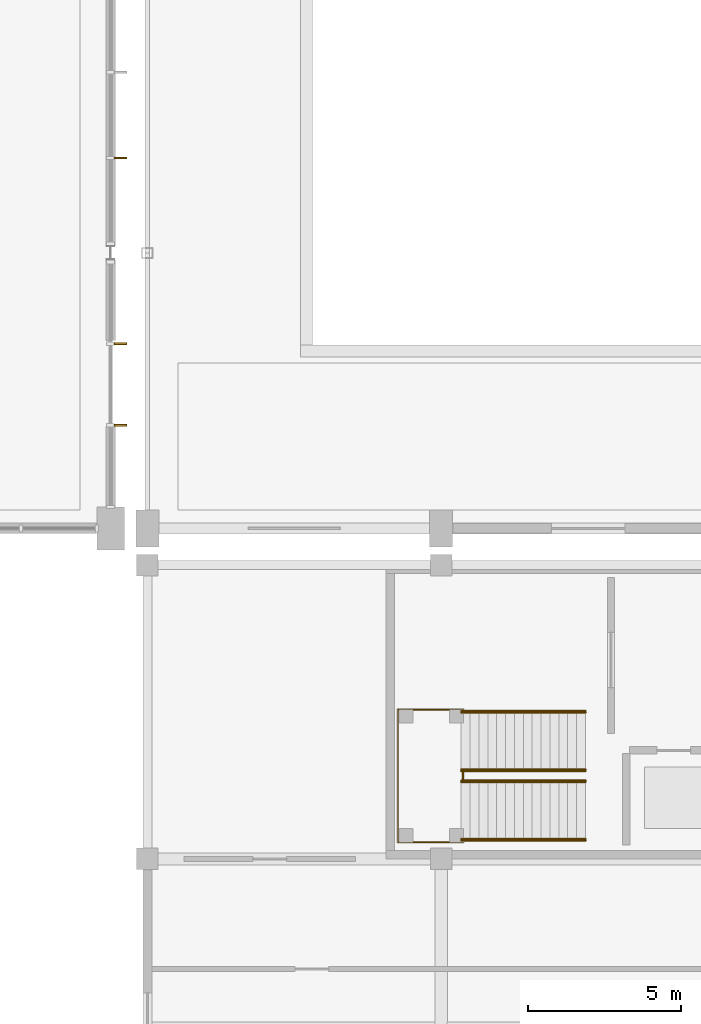
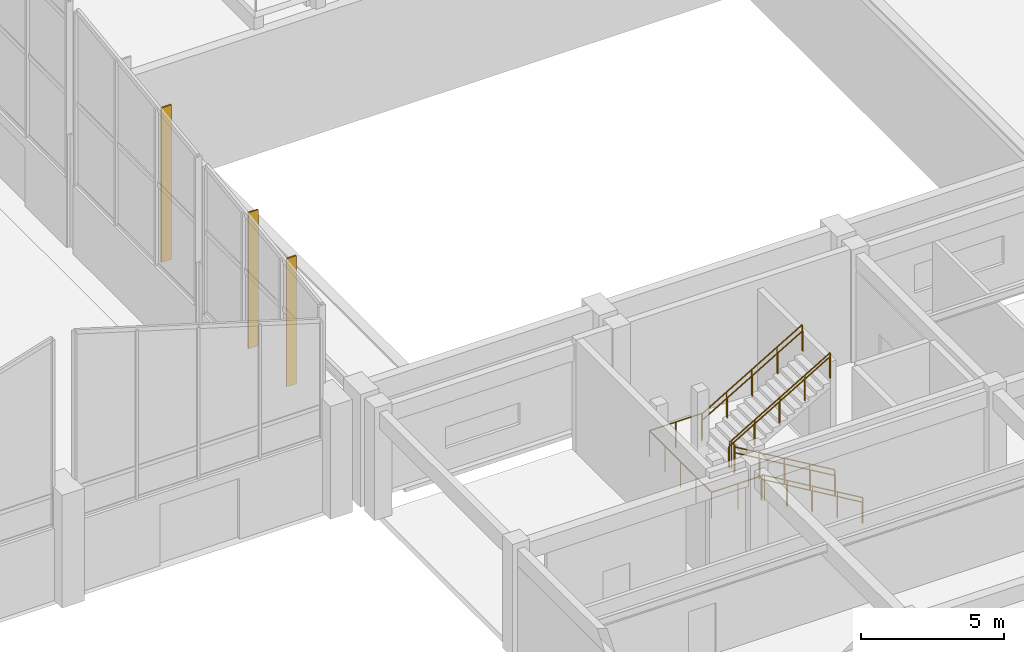
# One storey, part 74 of 82: 10 railings, 3 shading devices.
"""IFC4 building model written with IfcOpenShell, lengths in metres."""

from ifc_helpers import new_model, si_unit, direction, frame, origin, origin_2d, place, context, subcontext, project, spatial, rectangle, circle, extrude, material, type_object, element, save


model = new_model("IFC4")

# Units and contexts
model_context = context("Model", 3, precision=1e-05, world=origin(), true_north=direction((0.0, 1.0)))
body_context = subcontext(model_context, "Body", "Model", "MODEL_VIEW")
ifc_project = project(units=[si_unit("LENGTHUNIT", "METRE"), si_unit("AREAUNIT", "SQUARE_METRE"), si_unit("VOLUMEUNIT", "CUBIC_METRE"), si_unit("PLANEANGLEUNIT", "RADIAN"), si_unit("MASSUNIT", "GRAM", prefix="KILO")], contexts=[model_context])

# Site, building, storey
site_placement = place(None, origin())
site = spatial("IfcSite", under=ifc_project, at=site_placement, CompositionType="ELEMENT")
building_placement = place(site_placement, origin())
building = spatial("IfcBuilding", under=site, at=building_placement, Name="Suirenkawa Promenade Aquatics Centre", CompositionType="ELEMENT")
storey_placement = place(building_placement, origin())
storey = spatial("IfcBuildingStorey", under=building, at=storey_placement, Name="L00", CompositionType="ELEMENT", Elevation=0.0)

# Railings
ifc_material_1 = material(Name="Marine-grade stainless steel Grade 316L", Category="steel")
railing_type_1 = type_object("IfcRailingType", Name="RLT-GUARD-1120", PredefinedType="GUARDRAIL", material=ifc_material_1)
for number, where, name in (
    (1, (170.31494140625, 42.159912109375, 0.0), "Guardrail GRD-01 RL-0181"),
    (2, (170.31494140625, 40.199951171875, 0.0), "Guardrail GRD-01 RL-0183"),
):
    element("IfcRailing", number, at=place(storey_placement, frame(where)), inside=storey, type_object=railing_type_1, Name=name, PredefinedType="GUARDRAIL", context=body_context, shape_type="SweptSolid", body=[
        extrude(circle(Radius=0.02392578125, at=origin_2d()), frame((0.0, 0.0, 1.09619140625), z_axis=(-0.8608543813, 0.0, 0.508851387142), x_axis=(0.0, -1.0, 0.0)), (0.0, 0.0, 1.0), 4.71630859375),
        extrude(circle(Radius=0.02099609375, at=origin_2d()), origin(), (0.0, 0.0, 1.0), 1.072021484375),
        extrude(circle(Radius=0.02099609375, at=origin_2d()), frame((-1.01513671875, 0.0, 0.60009765625)), (0.0, 0.0, 1.0), 1.072021484375),
        extrude(circle(Radius=0.02099609375, at=origin_2d()), frame((-2.030029296875, 0.0, 1.199951171875)), (0.0, 0.0, 1.0), 1.072021484375),
        extrude(circle(Radius=0.02099609375, at=origin_2d()), frame((-3.044921875, 0.0, 1.7998046875)), (0.0, 0.0, 1.0), 1.072021484375),
        extrude(circle(Radius=0.02099609375, at=origin_2d()), frame((-4.06005859375, 0.0, 2.39990234375)), (0.0, 0.0, 1.0), 1.072021484375),
    ])
for number, where, name in (
    (3, (166.2548828125, 42.469970703125, 2.39990234375), "Guardrail GRD-01 RL-0185"),
    (4, (166.2548828125, 44.429931640625, 2.39990234375), "Guardrail GRD-01 RL-0187"),
):
    element("IfcRailing", number, at=place(storey_placement, frame(where)), inside=storey, type_object=railing_type_1, Name=name, PredefinedType="GUARDRAIL", context=body_context, shape_type="SweptSolid", body=[
        extrude(circle(Radius=0.02392578125, at=origin_2d()), frame((0.0, 0.0, 1.09619140625), z_axis=(0.860831705478, 0.0, 0.508889747237), x_axis=(0.0, 1.0, 0.0)), (0.0, 0.0, 1.0), 4.716552734375),
        extrude(circle(Radius=0.02099609375, at=origin_2d()), origin(), (0.0, 0.0, 1.0), 1.072021484375),
        extrude(circle(Radius=0.02099609375, at=origin_2d()), frame((1.01513671875, 0.0, 0.60009765625)), (0.0, 0.0, 1.0), 1.072021484375),
        extrude(circle(Radius=0.02099609375, at=origin_2d()), frame((2.030029296875, 0.0, 1.2001953125)), (0.0, 0.0, 1.0), 1.072021484375),
        extrude(circle(Radius=0.02099609375, at=origin_2d()), frame((3.044921875, 0.0, 1.800048828125)), (0.0, 0.0, 1.0), 1.072021484375),
        extrude(circle(Radius=0.02099609375, at=origin_2d()), frame((4.06005859375, 0.0, 2.400146484375)), (0.0, 0.0, 1.0), 1.072021484375),
    ])
railing_1_placement = place(storey_placement, frame((166.320068359375, 40.14990234375, 2.39990234375)))
element("IfcRailing", 5, at=railing_1_placement, inside=storey, type_object=railing_type_1, Name="Guardrail GRD-01 RL-0189", PredefinedType="GUARDRAIL", context=body_context, shape_type="SweptSolid", body=[
    extrude(circle(Radius=0.02392578125, at=origin_2d()), frame((0.0, 0.0, 1.09619140625), z_axis=(-1.0, 0.0, 0.0), x_axis=(0.0, -1.0, 0.0)), (0.0, 0.0, 1.0), 2.130126953125),
    extrude(circle(Radius=0.02392578125, at=origin_2d()), frame((-2.130126953125, 0.0, 1.09619140625), z_axis=(0.0, 1.0, 0.0), x_axis=(-1.0, 0.0, 0.0)), (0.0, 0.0, 1.0), 4.330078125),
    extrude(circle(Radius=0.02392578125, at=origin_2d()), frame((-2.130126953125, 4.330078125, 1.09619140625), z_axis=(1.0, 0.0, 0.0), x_axis=(0.0, 1.0, 0.0)), (0.0, 0.0, 1.0), 2.130126953125),
    extrude(circle(Radius=0.02099609375, at=origin_2d()), origin(), (0.0, 0.0, 1.0), 1.072021484375),
    extrude(circle(Radius=0.02099609375, at=origin_2d()), frame((-1.06494140625, 0.0, 0.0)), (0.0, 0.0, 1.0), 1.072021484375),
    extrude(circle(Radius=0.02099609375, at=origin_2d()), frame((-2.130126953125, 0.0, 0.0)), (0.0, 0.0, 1.0), 1.072021484375),
    extrude(circle(Radius=0.02099609375, at=origin_2d()), frame((-2.130126953125, 1.08251953125, 0.0)), (0.0, 0.0, 1.0), 1.072021484375),
    extrude(circle(Radius=0.02099609375, at=origin_2d()), frame((-2.130126953125, 2.1650390625, 0.0)), (0.0, 0.0, 1.0), 1.072021484375),
    extrude(circle(Radius=0.02099609375, at=origin_2d()), frame((-2.130126953125, 3.24755859375, 0.0)), (0.0, 0.0, 1.0), 1.072021484375),
    extrude(circle(Radius=0.02099609375, at=origin_2d()), frame((-2.130126953125, 4.330078125, 0.0)), (0.0, 0.0, 1.0), 1.072021484375),
    extrude(circle(Radius=0.02099609375, at=origin_2d()), frame((-1.06494140625, 4.330078125, 0.0)), (0.0, 0.0, 1.0), 1.072021484375),
    extrude(circle(Radius=0.02099609375, at=origin_2d()), frame((0.0, 4.330078125, 0.0)), (0.0, 0.0, 1.0), 1.072021484375),
])
railing_2_placement = place(storey_placement, frame((166.320068359375, 42.18994140625, 2.39990234375)))
element("IfcRailing", 6, at=railing_2_placement, inside=storey, type_object=railing_type_1, Name="Guardrail GRD-01 RL-0190", PredefinedType="GUARDRAIL", context=body_context, shape_type="SweptSolid", body=[
    extrude(circle(Radius=0.02392578125, at=origin_2d()), frame((0.0, 0.0, 1.09619140625), z_axis=(0.0, 1.0, 0.0), x_axis=(-1.0, 0.0, 0.0)), (0.0, 0.0, 1.0), 0.25),
    extrude(circle(Radius=0.02099609375, at=origin_2d()), origin(), (0.0, 0.0, 1.0), 1.072021484375),
    extrude(circle(Radius=0.02099609375, at=origin_2d()), frame((0.0, 0.25, 0.0)), (0.0, 0.0, 1.0), 1.072021484375),
])
railing_type_2 = type_object("IfcRailingType", Name="RLT-HANDRAIL-900", PredefinedType="HANDRAIL", material=ifc_material_1)
for number, where, name in (
    (7, (170.31494140625, 42.110107421875, 0.0), "Handrail HRL-01 RL-0182"),
    (8, (170.31494140625, 40.25, 0.0), "Handrail HRL-01 RL-0184"),
):
    element("IfcRailing", number, at=place(storey_placement, frame(where)), inside=storey, type_object=railing_type_2, Name=name, PredefinedType="HANDRAIL", context=body_context, shape_type="SweptSolid", body=[
        extrude(circle(Radius=0.02392578125, at=origin_2d()), frame((0.0, 0.0, 0.8759765625), z_axis=(-0.8608543813, 0.0, 0.508851387142), x_axis=(0.0, -1.0, 0.0)), (0.0, 0.0, 1.0), 4.71630859375),
        extrude(circle(Radius=0.02099609375, at=origin_2d()), origin(), (0.0, 0.0, 1.0), 0.851806640625),
        extrude(circle(Radius=0.02099609375, at=origin_2d()), frame((-1.01513671875, 0.0, 0.60009765625)), (0.0, 0.0, 1.0), 0.851806640625),
        extrude(circle(Radius=0.02099609375, at=origin_2d()), frame((-2.030029296875, 0.0, 1.199951171875)), (0.0, 0.0, 1.0), 0.851806640625),
        extrude(circle(Radius=0.02099609375, at=origin_2d()), frame((-3.044921875, 0.0, 1.7998046875)), (0.0, 0.0, 1.0), 0.851806640625),
        extrude(circle(Radius=0.02099609375, at=origin_2d()), frame((-4.06005859375, 0.0, 2.39990234375)), (0.0, 0.0, 1.0), 0.851806640625),
    ])
for number, where, name in (
    (9, (166.2548828125, 42.52001953125, 2.39990234375), "Handrail HRL-01 RL-0186"),
    (10, (166.2548828125, 44.3798828125, 2.39990234375), "Handrail HRL-01 RL-0188"),
):
    element("IfcRailing", number, at=place(storey_placement, frame(where)), inside=storey, type_object=railing_type_2, Name=name, PredefinedType="HANDRAIL", context=body_context, shape_type="SweptSolid", body=[
        extrude(circle(Radius=0.02392578125, at=origin_2d()), frame((0.0, 0.0, 0.8759765625), z_axis=(0.860831705478, 0.0, 0.508889747237), x_axis=(0.0, 1.0, 0.0)), (0.0, 0.0, 1.0), 4.716552734375),
        extrude(circle(Radius=0.02099609375, at=origin_2d()), origin(), (0.0, 0.0, 1.0), 0.851806640625),
        extrude(circle(Radius=0.02099609375, at=origin_2d()), frame((1.01513671875, 0.0, 0.60009765625)), (0.0, 0.0, 1.0), 0.851806640625),
        extrude(circle(Radius=0.02099609375, at=origin_2d()), frame((2.030029296875, 0.0, 1.2001953125)), (0.0, 0.0, 1.0), 0.851806640625),
        extrude(circle(Radius=0.02099609375, at=origin_2d()), frame((3.044921875, 0.0, 1.800048828125)), (0.0, 0.0, 1.0), 0.851806640625),
        extrude(circle(Radius=0.02099609375, at=origin_2d()), frame((4.06005859375, 0.0, 2.400146484375)), (0.0, 0.0, 1.0), 0.851806640625),
    ])

# Shading devices
ifc_material_2 = material(Name="Anodised aluminium 6063-T6", Category="aluminium")
shading_device_type = type_object("IfcShadingDeviceType", Name="SDT-KOUSHI-400", PredefinedType="USERDEFINED", material=ifc_material_2)
shading_device_1_placement = place(storey_placement, frame((155.1220703125, 56.43359375, 2.990234375), z_axis=(0.0, 0.0, 1.0), x_axis=(1.0, 0.0, 0.0)))
element("IfcShadingDevice", 11, at=shading_device_1_placement, inside=storey, type_object=shading_device_type, Name="Vertical solar shading fin FN-01 FIN-0012", ObjectType="FIN", PredefinedType="USERDEFINED", context=body_context, shape_type="SweptSolid", body=[
    extrude(rectangle(XDim=0.39990234375, YDim=0.06005859375, at=origin_2d()), origin(), (0.0, 0.0, 1.0), 5.797607421875),
])
shading_device_2_placement = place(storey_placement, frame((155.1220703125, 53.766357421875, 2.990234375), z_axis=(0.0, 0.0, 1.0), x_axis=(1.0, 0.0, 0.0)))
element("IfcShadingDevice", 12, at=shading_device_2_placement, inside=storey, type_object=shading_device_type, Name="Vertical solar shading fin FN-01 FIN-0013", ObjectType="FIN", PredefinedType="USERDEFINED", context=body_context, shape_type="SweptSolid", body=[
    extrude(rectangle(XDim=0.39990234375, YDim=0.06005859375, at=origin_2d()), origin(), (0.0, 0.0, 1.0), 5.453857421875),
])
shading_device_3_placement = place(storey_placement, frame((155.1220703125, 62.499755859375, 2.989990234375), z_axis=(0.0, 0.0, 1.0), x_axis=(1.0, 0.0, 0.0)))
element("IfcShadingDevice", 13, at=shading_device_3_placement, inside=storey, type_object=shading_device_type, Name="Vertical solar shading fin FN-01 FIN-0015", ObjectType="FIN", PredefinedType="USERDEFINED", context=body_context, shape_type="SweptSolid", body=[
    extrude(rectangle(XDim=0.39990234375, YDim=0.06005859375, at=origin_2d()), origin(), (0.0, 0.0, 1.0), 6.57958984375),
])

save(model, "model.ifc")
